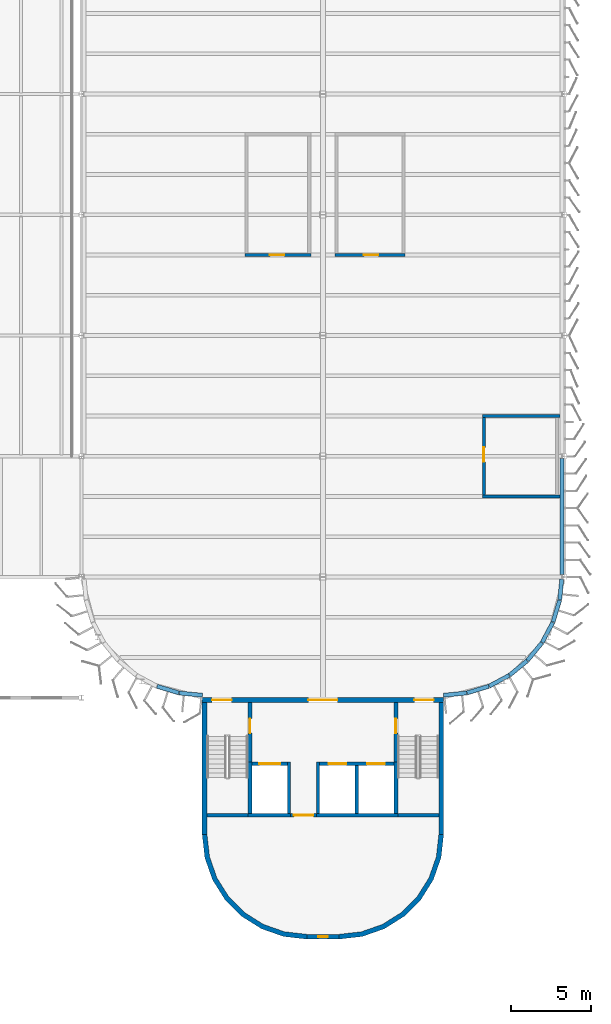
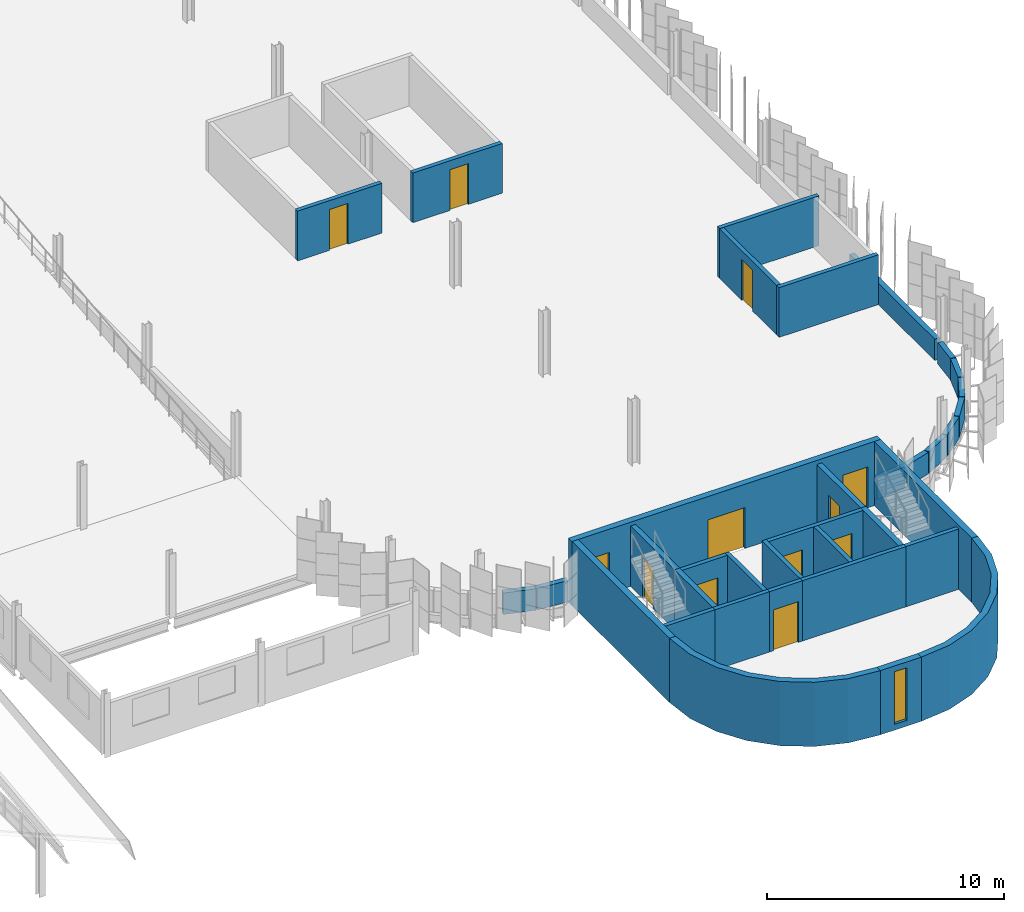
# One storey, part 61 of 199: 36 walls, 12 doors, 1 window, 13 openings.
"""IFC4 building model written with IfcOpenShell, lengths in metres."""

import ifcopenshell
import ifcopenshell.guid

model = None  # the IFC model being written
_history = None  # IfcOwnerHistory: only IFC2X3 demands one
_inside = {}  # id of a spatial element -> (the spatial element, [elements in it])
_under = {}  # id of a project, library or spatial element -> (it, [spatial elements below it])
_declared = {}  # id of a project -> (the project, [libraries it declares])
_typed = {}  # id of a type object -> (the type object, [elements of that type])
_made_of = {}  # id of a material, layer set ... -> (it, [elements and type objects made of it])


def new_model(schema):
    """Start an empty IFC model of exactly this schema.

    Asked for "IFC4X3", IfcOpenShell would pick the latest addendum, in which some entities
    have other attributes; the version numbers below select the first issue.
    IFC2X3 requires an IfcOwnerHistory on every rooted entity: one is made here for all.
    """
    global model, _history
    if schema == "IFC4X3":
        model = ifcopenshell.file(schema_version=(4, 3, 0, 0))
    else:
        model = ifcopenshell.file(schema=schema)
    _inside.clear()
    _under.clear()
    _declared.clear()
    _typed.clear()
    _made_of.clear()
    _history = None
    if model.schema == "IFC2X3":
        org = make("IfcOrganization", Name="unknown")
        user = make(
            "IfcPersonAndOrganization",
            ThePerson=make("IfcPerson", FamilyName="unknown"),
            TheOrganization=org,
        )
        app = make(
            "IfcApplication",
            ApplicationDeveloper=org,
            Version="unknown",
            ApplicationFullName="unknown",
            ApplicationIdentifier="unknown",
        )
        _history = make(
            "IfcOwnerHistory",
            OwningUser=user,
            OwningApplication=app,
            ChangeAction="ADDED",
            CreationDate=0,
        )
    return model


def make(cls, **values):
    """One entity of the class cls with the attributes given. An attribute that is None is left unset."""
    return model.create_entity(
        cls, **{name: value for name, value in values.items() if value is not None}
    )


def rooted(cls, **values):
    """An entity with a GlobalId (a new one), such as an element, a storey or a relation."""
    return make(cls, GlobalId=ifcopenshell.guid.new(), OwnerHistory=_history, **values)


def si_unit(unit_type, name, prefix=None):
    """IfcSIUnit, for example si_unit("LENGTHUNIT", "METRE", prefix="MILLI")."""
    return make("IfcSIUnit", UnitType=unit_type, Prefix=prefix, Name=name)


def assignment(units):
    """IfcUnitAssignment: the units of a project."""
    return None if units is None else make("IfcUnitAssignment", Units=units)


def point(xyz):
    """IfcCartesianPoint."""
    return None if xyz is None else make("IfcCartesianPoint", Coordinates=xyz)


def direction(xyz):
    """IfcDirection."""
    return None if xyz is None else make("IfcDirection", DirectionRatios=xyz)


def frame(location, z_axis=None, x_axis=None):
    """IfcAxis2Placement3D, a coordinate frame: its origin and axes. An axis left out is left unset."""
    return make(
        "IfcAxis2Placement3D",
        Location=point(location),
        Axis=direction(z_axis),
        RefDirection=direction(x_axis),
    )


def frame_2d(location, x_axis=None):
    """IfcAxis2Placement2D, a coordinate frame in the plane: its origin and x axis."""
    return make(
        "IfcAxis2Placement2D", Location=point(location), RefDirection=direction(x_axis)
    )


def origin():
    """The frame at (0, 0, 0) with its axes left unset."""
    return frame((0.0, 0.0, 0.0))


def place(relative_to, where):
    """IfcLocalPlacement: puts the frame where relative to a parent placement (None: the world)."""
    return make(
        "IfcLocalPlacement", PlacementRelTo=relative_to, RelativePlacement=where
    )


def context(
    kind, dimensions, precision=None, world=None, true_north=None, identifier=None
):
    """IfcGeometricRepresentationContext, for example the 3D "Model" context."""
    return make(
        "IfcGeometricRepresentationContext",
        ContextIdentifier=identifier,
        ContextType=kind,
        CoordinateSpaceDimension=dimensions,
        Precision=precision,
        WorldCoordinateSystem=world,
        TrueNorth=true_north,
    )


def subcontext(parent, identifier, kind, view, scale=None):
    """IfcGeometricRepresentationSubContext, for example "Body" below "Model"."""
    return make(
        "IfcGeometricRepresentationSubContext",
        ContextIdentifier=identifier,
        ContextType=kind,
        ParentContext=parent,
        TargetScale=scale,
        TargetView=view,
    )


def project(units=None, contexts=None):
    """IfcProject with its units and contexts."""
    return rooted(
        "IfcProject",
        Name="project",
        RepresentationContexts=contexts,
        UnitsInContext=assignment(units),
    )


def spatial(cls, under=None, at=None, **own):
    """A site, building, storey or space (cls), placed at a placement, below another one or the project."""
    s = rooted(cls, ObjectPlacement=at, **own)
    if under is not None:
        _under.setdefault(under.id(), (under, []))[1].append(s)
    return s


def polyline(points):
    """IfcPolyline through the points."""
    return make("IfcPolyline", Points=[point(p) for p in points])


def profile(cls, at=None, kind="AREA", **sizes):
    """A parametric profile (cls). Its sizes go by their IFC names, for example OverallWidth=200.0."""
    return make(cls, ProfileType=kind, Position=at, **sizes)


def rectangle(**sizes):
    """IfcRectangleProfileDef."""
    return profile("IfcRectangleProfileDef", **sizes)


def outline(outer, holes=None, kind="AREA"):
    """IfcArbitraryClosedProfileDef: a profile drawn as a closed curve; with holes, ...WithVoids."""
    if holes is None:
        return make("IfcArbitraryClosedProfileDef", ProfileType=kind, OuterCurve=outer)
    return make(
        "IfcArbitraryProfileDefWithVoids",
        ProfileType=kind,
        OuterCurve=outer,
        InnerCurves=holes,
    )


def extrude(swept, where, along, depth):
    """IfcExtrudedAreaSolid: the profile swept, set in the frame where, extruded along a direction by depth."""
    return make(
        "IfcExtrudedAreaSolid",
        SweptArea=swept,
        Position=where,
        ExtrudedDirection=direction(along),
        Depth=depth,
    )


def shape(context_of_items, identifier, shape_type, items):
    """IfcShapeRepresentation: the items that make up one representation, for example the "Body"."""
    return make(
        "IfcShapeRepresentation",
        ContextOfItems=context_of_items,
        RepresentationIdentifier=identifier,
        RepresentationType=shape_type,
        Items=items,
    )


def material(Name=None, Category=None):
    """IfcMaterial."""
    return make("IfcMaterial", Name=Name, Category=Category)


def layer(
    of_material, thickness, ventilated=None, Name=None, Category=None, Priority=None
):
    """IfcMaterialLayer: one layer of a wall or slab, of a material (None: an air gap)."""
    return make(
        "IfcMaterialLayer",
        Material=of_material,
        LayerThickness=thickness,
        IsVentilated=ventilated,
        Name=Name,
        Category=Category,
        Priority=Priority,
    )


def layer_set(layers, Name=None):
    """IfcMaterialLayerSet."""
    return make("IfcMaterialLayerSet", MaterialLayers=layers, LayerSetName=Name)


def made_of(thing, what):
    """Note that an element or type object is made of a material, layer set ...; save() writes the relation."""
    if what is not None:
        _made_of.setdefault(what.id(), (what, []))[1].append(thing)
    return thing


def type_object(cls, material=None, **own):
    """A type object (cls), such as IfcWallType, which elements share."""
    return made_of(rooted(cls, **own), material)


def element(
    cls,
    number,
    at=None,
    inside=None,
    cuts=None,
    type_object=None,
    material=None,
    context=None,
    identifier="Body",
    shape_type=None,
    held_by="IfcProductDefinitionShape",
    body=None,
    shapes=None,
    **own,
):
    """One element of the class cls, such as IfcWall. Its Tag is "e" and its number.

    at: its placement. inside: the storey or other place that contains it. cuts: it is an
    opening in that element (IfcRelVoidsElement). A single representation is given by context,
    identifier, shape_type and body (its items); several are given by shapes. held_by: the class
    of the entity that holds the representations. save() writes the other relations.
    """
    e = rooted(cls, Tag="e%d" % number, ObjectPlacement=at, **own)
    if body is not None:
        shapes = [shape(context, identifier, shape_type, body)]
    if shapes is not None:
        e.Representation = make(held_by, Representations=shapes)
    if inside is not None:
        _inside.setdefault(inside.id(), (inside, []))[1].append(e)
    if cuts is not None:
        rooted(
            "IfcRelVoidsElement", RelatingBuildingElement=cuts, RelatedOpeningElement=e
        )
    if type_object is not None:
        _typed.setdefault(type_object.id(), (type_object, []))[1].append(e)
    return made_of(e, material)


def fill(opening, filler):
    """IfcRelFillsElement: the door or window that sits in an opening."""
    return rooted(
        "IfcRelFillsElement",
        RelatingOpeningElement=opening,
        RelatedBuildingElement=filler,
    )


def aggregate(whole, parts):
    """IfcRelAggregates: a whole, such as a stair, and the parts it consists of."""
    return rooted("IfcRelAggregates", RelatingObject=whole, RelatedObjects=parts)


def save(model, path):
    """Write the relations noted so far, then the file.

    IfcRelAggregates (storeys below a building ...), IfcRelContainedInSpatialStructure (elements
    in a storey), IfcRelDefinesByType, IfcRelAssociatesMaterial and IfcRelDeclares: one each for
    every whole, place, type object, material and project.
    """
    for whole, parts in _under.values():
        aggregate(whole, parts)
    for where, things in _inside.values():
        rooted(
            "IfcRelContainedInSpatialStructure",
            RelatedElements=things,
            RelatingStructure=where,
        )
    for kind, things in _typed.values():
        rooted("IfcRelDefinesByType", RelatedObjects=things, RelatingType=kind)
    for what, things in _made_of.values():
        rooted("IfcRelAssociatesMaterial", RelatedObjects=things, RelatingMaterial=what)
    for by, libraries in _declared.values():
        rooted("IfcRelDeclares", RelatingContext=by, RelatedDefinitions=libraries)
    model.write(path)


model = new_model("IFC4")

# Units and contexts
model_context = context("Model", 3, precision=1e-05, world=origin(), true_north=direction((0.0, 1.0)))
body_context = subcontext(model_context, "Body", "Model", "MODEL_VIEW")
ifc_project = project(units=[si_unit("LENGTHUNIT", "METRE"), si_unit("AREAUNIT", "SQUARE_METRE"), si_unit("VOLUMEUNIT", "CUBIC_METRE"), si_unit("PLANEANGLEUNIT", "RADIAN"), si_unit("MASSUNIT", "GRAM", prefix="KILO")], contexts=[model_context])

# Site, building, storey
site_placement = place(None, origin())
site = spatial("IfcSite", under=ifc_project, at=site_placement, CompositionType="ELEMENT")
building_placement = place(site_placement, origin())
building = spatial("IfcBuilding", under=site, at=building_placement, Name="Parallax Yard Mobility Hub", CompositionType="ELEMENT")
storey_placement = place(building_placement, frame((0.0, 0.0, 9.89990234375)))
storey = spatial("IfcBuildingStorey", under=building, at=storey_placement, Name="L03", CompositionType="ELEMENT", Elevation=9.89990234375)

# Wall, openings, doors
ifc_material_1 = material(Name="Concrete fc' 35 MPa", Category="concrete")
ifc_layer_1 = layer(ifc_material_1, 0.300048828125)
ifc_layer_set_1 = layer_set([ifc_layer_1], Name="Concrete fc' 35 MPa core wall 300")
wall_type_1 = type_object("IfcWallType", Name="Concrete fc' 35 MPa core wall 300", PredefinedType="SHEAR", material=ifc_layer_set_1)
wall_1_placement = place(storey_placement, frame((202.5, 22.35009765625, 0.0), z_axis=(0.0, 0.0, 1.0), x_axis=(1.0, 0.0, 0.0)))
wall_1 = element("IfcWall", 1, at=wall_1_placement, inside=storey, type_object=wall_type_1, Name="Core C-S entry wall level L03", PredefinedType="SHEAR", context=body_context, shape_type="SweptSolid", body=[
    extrude(rectangle(XDim=15.0, YDim=0.300048828125, at=frame_2d((7.5, 0.0))), origin(), (0.0, 0.0, 1.0), 3.300048828125),
])
opening_1_placement = place(wall_1_placement, frame((13.179931640625, 0.0, 0.0)))
opening_1 = element("IfcOpeningElement", 2, at=opening_1_placement, cuts=wall_1, Name="Opening L03-D724", PredefinedType="OPENING", context=body_context, shape_type="SweptSolid", body=[
    extrude(rectangle(XDim=1.199951171875, YDim=2.10009765625, at=frame_2d((0.60009765625, 1.050048828125))), frame((0.0, 0.16015625, 0.0), z_axis=(0.0, -1.0, 0.0), x_axis=(1.0, 0.0, 0.0)), (0.0, 0.0, 1.0), 0.320068359375),
])
opening_2_placement = place(wall_1_placement, frame((0.6201171875, 0.0, 0.0)))
opening_2 = element("IfcOpeningElement", 3, at=opening_2_placement, cuts=wall_1, Name="Opening L03-D725", PredefinedType="OPENING", context=body_context, shape_type="SweptSolid", body=[
    extrude(rectangle(XDim=1.199951171875, YDim=2.10009765625, at=frame_2d((0.60009765625, 1.050048828125))), frame((0.0, 0.16015625, 0.0), z_axis=(0.0, -1.0, 0.0), x_axis=(1.0, 0.0, 0.0)), (0.0, 0.0, 1.0), 0.320068359375),
])
opening_3_placement = place(wall_1_placement, frame((6.60009765625, 0.0, 0.0)))
opening_3 = element("IfcOpeningElement", 4, at=opening_3_placement, cuts=wall_1, Name="Opening L03-D726", PredefinedType="OPENING", context=body_context, shape_type="SweptSolid", body=[
    extrude(rectangle(XDim=1.800048828125, YDim=2.10009765625, at=frame_2d((0.89990234375, 1.050048828125))), frame((0.0, 0.16015625, 0.0), z_axis=(0.0, -1.0, 0.0), x_axis=(1.0, 0.0, 0.0)), (0.0, 0.0, 1.0), 0.320068359375),
])
ifc_material_2 = material(Name="Hollow metal steel door and frame", Category="steel")
door_type_1 = type_object("IfcDoorType", Name="Core door 1200 x 2100 FD90", OperationType="NOTDEFINED", PredefinedType="DOOR", material=ifc_material_2)
door_1_placement = place(opening_1_placement, origin())
door_1 = element("IfcDoor", 5, at=door_1_placement, inside=storey, type_object=door_type_1, Name="Stair deck door L03-D724, core C-S level L03", OperationType="SINGLE_SWING_RIGHT", OverallHeight=2.10009765625, OverallWidth=1.199951171875, PredefinedType="DOOR", context=body_context, shape_type="SweptSolid", body=[
    extrude(rectangle(XDim=1.199951171875, YDim=2.10009765625, at=frame_2d((0.60009765625, 1.050048828125))), frame((0.0, 0.02490234375, 0.0), z_axis=(0.0, -1.0, 0.0), x_axis=(1.0, 0.0, 0.0)), (0.0, 0.0, 1.0), 0.050048828125),
])
fill(opening_1, door_1)
door_2_placement = place(opening_2_placement, origin())
door_2 = element("IfcDoor", 6, at=door_2_placement, inside=storey, type_object=door_type_1, Name="Stair deck door L03-D725, core C-S level L03", OperationType="SINGLE_SWING_LEFT", OverallHeight=2.10009765625, OverallWidth=1.199951171875, PredefinedType="DOOR", context=body_context, shape_type="SweptSolid", body=[
    extrude(rectangle(XDim=1.199951171875, YDim=2.10009765625, at=frame_2d((0.60009765625, 1.050048828125))), frame((0.0, 0.02490234375, 0.0), z_axis=(0.0, -1.0, 0.0), x_axis=(1.0, 0.0, 0.0)), (0.0, 0.0, 1.0), 0.050048828125),
])
fill(opening_2, door_2)
door_type_2 = type_object("IfcDoorType", Name="Core double door 1800 x 2100 FD90", OperationType="NOTDEFINED", PredefinedType="DOOR", material=ifc_material_2)
door_3_placement = place(opening_3_placement, origin())
door_3 = element("IfcDoor", 7, at=door_3_placement, inside=storey, type_object=door_type_2, Name="Lift lobby door L03-D726, core C-S level L03", OperationType="DOUBLE_DOOR_SINGLE_SWING", OverallHeight=2.10009765625, OverallWidth=1.800048828125, PredefinedType="DOOR", context=body_context, shape_type="SweptSolid", body=[
    extrude(rectangle(XDim=1.800048828125, YDim=2.10009765625, at=frame_2d((0.89990234375, 1.050048828125))), frame((0.0, 0.02490234375, 0.0), z_axis=(0.0, -1.0, 0.0), x_axis=(1.0, 0.0, 0.0)), (0.0, 0.0, 1.0), 0.050048828125),
])
fill(opening_3, door_3)

# Wall, opening, window
wall_2_placement = place(storey_placement, frame((211.0, 7.64990234375, 0.0), z_axis=(0.0, 0.0, 1.0), x_axis=(-1.0, 0.0, 0.0)))
wall_2 = element("IfcWall", 8, at=wall_2_placement, inside=storey, type_object=wall_type_1, Name="Core C-S back wall level L03", PredefinedType="SHEAR", context=body_context, shape_type="SweptSolid", body=[
    extrude(rectangle(XDim=2.0, YDim=0.300048828125, at=frame_2d((1.0, 0.0))), origin(), (0.0, 0.0, 1.0), 3.300048828125),
])
opening_4_placement = place(wall_2_placement, frame((0.699951171875, 0.0, 0.300048828125)))
opening_4 = element("IfcOpeningElement", 9, at=opening_4_placement, cuts=wall_2, Name="Opening CW-S1", PredefinedType="OPENING", context=body_context, shape_type="SweptSolid", body=[
    extrude(rectangle(XDim=0.60009765625, YDim=2.699951171875, at=frame_2d((0.300048828125, 1.35009765625))), frame((0.0, 0.16015625, 0.0), z_axis=(0.0, -1.0, 0.0), x_axis=(1.0, 0.0, 0.0)), (0.0, 0.0, 1.0), 0.320068359375),
])
ifc_material_3 = material(Name="Fire-resisting glazing in a steel frame", Category="steel")
window_type = type_object("IfcWindowType", Name="Core slot window 600 x 2700", PartitioningType="SINGLE_PANEL", PredefinedType="WINDOW", material=ifc_material_3)
window_placement = place(opening_4_placement, origin())
window = element("IfcWindow", 10, at=window_placement, inside=storey, type_object=window_type, Name="Glazed slot 1, core C-S level L03", OverallHeight=2.699951171875, OverallWidth=0.60009765625, PartitioningType="SINGLE_PANEL", PredefinedType="WINDOW", context=body_context, shape_type="SweptSolid", body=[
    extrude(rectangle(XDim=0.60009765625, YDim=2.699951171875, at=frame_2d((0.300048828125, 1.35009765625))), frame((0.0, 0.030029296875, 0.0), z_axis=(0.0, -1.0, 0.0), x_axis=(1.0, 0.0, 0.0)), (0.0, 0.0, 1.0), 0.06005859375),
])
fill(opening_4, window)

# Walls
for number, where, z_axis, x_axis, name in (
    (11, (217.35009765625, 22.199951171875, 0.0), (0.0, 0.0, 1.0), (0.0, -1.0, 0.0), "Core C-S west-side end wall level L03"),
    (12, (202.64990234375, 14.0, 0.0), (0.0, 0.0, 1.0), (0.0, 1.0, 0.0), "Core C-S east-side end wall level L03"),
):
    element("IfcWall", number, at=place(storey_placement, frame(where, z_axis=z_axis, x_axis=x_axis)), inside=storey, type_object=wall_type_1, Name=name, PredefinedType="SHEAR", context=body_context, shape_type="SweptSolid", body=[
        extrude(rectangle(XDim=8.199951171875, YDim=0.300048828125, at=frame_2d((4.10009765625, 0.0))), origin(), (0.0, 0.0, 1.0), 3.300048828125),
    ])
wall_3_placement = place(storey_placement, origin())
element("IfcWall", 13, at=wall_3_placement, inside=storey, type_object=wall_type_1, Name="Core C-S rounded corner west level L03", PredefinedType="SHEAR", context=body_context, shape_type="SweptSolid", body=[
    extrude(outline(polyline([(217.5, 14.0), (217.3369140625, 12.5537109375), (216.856201171875, 11.1796875), (216.081787109375, 9.947265625), (215.052734375, 8.918212890625), (213.8203125, 8.143798828125), (212.4462890625, 7.6630859375), (211.0, 7.5), (211.0, 7.800048828125), (212.379638671875, 7.955322265625), (213.690185546875, 8.4140625), (214.865478515625, 9.152587890625), (215.847412109375, 10.134521484375), (216.5859375, 11.309814453125), (217.044677734375, 12.620361328125), (217.199951171875, 14.0), (217.5, 14.0)])), origin(), (0.0, 0.0, 1.0), 3.300048828125),
])
wall_4_placement = place(storey_placement, origin())
element("IfcWall", 14, at=wall_4_placement, inside=storey, type_object=wall_type_1, Name="Core C-S rounded corner east level L03", PredefinedType="SHEAR", context=body_context, shape_type="SweptSolid", body=[
    extrude(outline(polyline([(202.5, 14.0), (202.6630859375, 12.5537109375), (203.143798828125, 11.1796875), (203.918212890625, 9.947265625), (204.947265625, 8.918212890625), (206.1796875, 8.143798828125), (207.5537109375, 7.6630859375), (209.0, 7.5), (209.0, 7.800048828125), (207.620361328125, 7.955322265625), (206.309814453125, 8.4140625), (205.134521484375, 9.152587890625), (204.152587890625, 10.134521484375), (203.4140625, 11.309814453125), (202.955322265625, 12.620361328125), (202.800048828125, 14.0), (202.5, 14.0)])), origin(), (0.0, 0.0, 1.0), 3.300048828125),
])

# Wall, openings, doors
ifc_layer_2 = layer(ifc_material_1, 0.199951171875)
ifc_layer_set_2 = layer_set([ifc_layer_2], Name="Concrete fc' 35 MPa internal core wall 200")
wall_type_2 = type_object("IfcWallType", Name="Concrete fc' 35 MPa internal core wall 200", PredefinedType="STANDARD", material=ifc_layer_set_2)
wall_5_placement = place(storey_placement, frame((214.39990234375, 18.39990234375, 0.0), z_axis=(0.0, 0.0, 1.0), x_axis=(-1.0, 0.0, 0.0)))
wall_5 = element("IfcWall", 15, at=wall_5_placement, inside=storey, type_object=wall_type_2, Name="Core C-S lift front 1 part 1 level L03", PredefinedType="STANDARD", context=body_context, shape_type="SweptSolid", body=[
    extrude(rectangle(XDim=4.599853515625, YDim=0.199951171875, at=frame_2d((2.2998046875, 0.0))), origin(), (0.0, 0.0, 1.0), 3.10009765625),
])
opening_5_placement = place(wall_5_placement, frame((0.550048828125, 0.0, 0.0)))
opening_5 = element("IfcOpeningElement", 16, at=opening_5_placement, cuts=wall_5, Name="Opening L03-D729", PredefinedType="OPENING", context=body_context, shape_type="SweptSolid", body=[
    extrude(rectangle(XDim=1.10009765625, YDim=2.10009765625, at=frame_2d((0.550048828125, 1.050048828125))), frame((0.0, 0.10986328125, 0.0), z_axis=(0.0, -1.0, 0.0), x_axis=(1.0, 0.0, 0.0)), (0.0, 0.0, 1.0), 0.219970703125),
])
opening_6_placement = place(wall_5_placement, frame((2.949951171875, 0.0, 0.0)))
opening_6 = element("IfcOpeningElement", 17, at=opening_6_placement, cuts=wall_5, Name="Opening L03-D730", PredefinedType="OPENING", context=body_context, shape_type="SweptSolid", body=[
    extrude(rectangle(XDim=1.10009765625, YDim=2.10009765625, at=frame_2d((0.550048828125, 1.050048828125))), frame((0.0, 0.10986328125, 0.0), z_axis=(0.0, -1.0, 0.0), x_axis=(1.0, 0.0, 0.0)), (0.0, 0.0, 1.0), 0.219970703125),
])
ifc_material_4 = material(Name="Stainless steel sliding door and frame", Category="steel")
door_type_3 = type_object("IfcDoorType", Name="Lift landing door 1100 x 2100 FD90", OperationType="DOUBLE_DOOR_SLIDING", PredefinedType="DOOR", material=ifc_material_4)
door_4_placement = place(opening_5_placement, origin())
door_4 = element("IfcDoor", 18, at=door_4_placement, inside=storey, type_object=door_type_3, Name="Lift landing door L03-D729, core C-S level L03", OperationType="DOUBLE_DOOR_SLIDING", OverallHeight=2.10009765625, OverallWidth=1.10009765625, PredefinedType="DOOR", context=body_context, shape_type="SweptSolid", body=[
    extrude(rectangle(XDim=1.10009765625, YDim=2.10009765625, at=frame_2d((0.550048828125, 1.050048828125))), frame((0.0, 0.02490234375, 0.0), z_axis=(0.0, -1.0, 0.0), x_axis=(1.0, 0.0, 0.0)), (0.0, 0.0, 1.0), 0.050048828125),
])
fill(opening_5, door_4)
door_5_placement = place(opening_6_placement, origin())
door_5 = element("IfcDoor", 19, at=door_5_placement, inside=storey, type_object=door_type_3, Name="Lift landing door L03-D730, core C-S level L03", OperationType="DOUBLE_DOOR_SLIDING", OverallHeight=2.10009765625, OverallWidth=1.10009765625, PredefinedType="DOOR", context=body_context, shape_type="SweptSolid", body=[
    extrude(rectangle(XDim=1.10009765625, YDim=2.10009765625, at=frame_2d((0.550048828125, 1.050048828125))), frame((0.0, 0.02490234375, 0.0), z_axis=(0.0, -1.0, 0.0), x_axis=(1.0, 0.0, 0.0)), (0.0, 0.0, 1.0), 0.050048828125),
])
fill(opening_6, door_5)

# Wall, opening, door
wall_6_placement = place(storey_placement, frame((207.800048828125, 18.39990234375, 0.0), z_axis=(0.0, 0.0, 1.0), x_axis=(-1.0, 0.0, 0.0)))
wall_6 = element("IfcWall", 20, at=wall_6_placement, inside=storey, type_object=wall_type_2, Name="Core C-S lift front 2 part 2 level L03", PredefinedType="STANDARD", context=body_context, shape_type="SweptSolid", body=[
    extrude(rectangle(XDim=2.199951171875, YDim=0.199951171875, at=frame_2d((1.10009765625, 0.0))), origin(), (0.0, 0.0, 1.0), 3.10009765625),
])
opening_7_placement = place(wall_6_placement, frame((0.449951171875, 0.0, 0.0)))
opening_7 = element("IfcOpeningElement", 21, at=opening_7_placement, cuts=wall_6, Name="Opening L03-D731", PredefinedType="OPENING", context=body_context, shape_type="SweptSolid", body=[
    extrude(rectangle(XDim=1.300048828125, YDim=2.10009765625, at=frame_2d((0.64990234375, 1.050048828125))), frame((0.0, 0.10986328125, 0.0), z_axis=(0.0, -1.0, 0.0), x_axis=(1.0, 0.0, 0.0)), (0.0, 0.0, 1.0), 0.219970703125),
])
door_type_4 = type_object("IfcDoorType", Name="Goods lift landing door 1300 x 2100 FD90", OperationType="DOUBLE_DOOR_SLIDING", PredefinedType="DOOR", material=ifc_material_4)
door_6_placement = place(opening_7_placement, origin())
door_6 = element("IfcDoor", 22, at=door_6_placement, inside=storey, type_object=door_type_4, Name="Lift landing door L03-D731, core C-S level L03", OperationType="DOUBLE_DOOR_SLIDING", OverallHeight=2.10009765625, OverallWidth=1.300048828125, PredefinedType="DOOR", context=body_context, shape_type="SweptSolid", body=[
    extrude(rectangle(XDim=1.300048828125, YDim=2.10009765625, at=frame_2d((0.64990234375, 1.050048828125))), frame((0.0, 0.02490234375, 0.0), z_axis=(0.0, -1.0, 0.0), x_axis=(1.0, 0.0, 0.0)), (0.0, 0.0, 1.0), 0.050048828125),
])
fill(opening_7, door_6)

# Walls
wall_7_placement = place(storey_placement, frame((212.10009765625, 18.300048828125, 0.0), z_axis=(0.0, 0.0, 1.0), x_axis=(0.0, -1.0, 0.0)))
element("IfcWall", 23, at=wall_7_placement, inside=storey, type_object=wall_type_2, Name="Core C-S lift wall 1 part 1 level L03", PredefinedType="STANDARD", context=body_context, shape_type="SweptSolid", body=[
    extrude(rectangle(XDim=3.0, YDim=0.199951171875, at=frame_2d((1.5, 0.0))), origin(), (0.0, 0.0, 1.0), 3.10009765625),
])
for number, where, z_axis, x_axis, name in (
    (24, (209.699951171875, 18.5, 0.0), (0.0, 0.0, 1.0), (0.0, -1.0, 0.0), "Core C-S lift wall 2 part 2 level L03"),
    (25, (207.89990234375, 18.5, 0.0), (0.0, 0.0, 1.0), (0.0, -1.0, 0.0), "Core C-S lift wall 3 part 3 level L03"),
):
    element("IfcWall", number, at=place(storey_placement, frame(where, z_axis=z_axis, x_axis=x_axis)), inside=storey, type_object=wall_type_2, Name=name, PredefinedType="STANDARD", context=body_context, shape_type="SweptSolid", body=[
        extrude(rectangle(XDim=3.199951171875, YDim=0.199951171875, at=frame_2d((1.60009765625, 0.0))), origin(), (0.0, 0.0, 1.0), 3.10009765625),
    ])
wall_8_placement = place(storey_placement, frame((217.199951171875, 15.199951171875, 0.0), z_axis=(0.0, 0.0, 1.0), x_axis=(-1.0, 0.0, 0.0)))
element("IfcWall", 26, at=wall_8_placement, inside=storey, type_object=wall_type_2, Name="Core C-S plant wall 1 part 1 level L03", PredefinedType="STANDARD", context=body_context, shape_type="SweptSolid", body=[
    extrude(rectangle(XDim=2.550048828125, YDim=0.199951171875, at=frame_2d((1.27490234375, 0.0))), origin(), (0.0, 0.0, 1.0), 3.10009765625),
])
wall_9_placement = place(storey_placement, frame((214.64990234375, 15.199951171875, 0.0), z_axis=(0.0, 0.0, 1.0), x_axis=(-1.0, 0.0, 0.0)))
element("IfcWall", 27, at=wall_9_placement, inside=storey, type_object=wall_type_2, Name="Core C-S plant wall 2 part 2 level L03", PredefinedType="STANDARD", context=body_context, shape_type="SweptSolid", body=[
    extrude(rectangle(XDim=5.0498046875, YDim=0.199951171875, at=frame_2d((2.52490234375, 0.0))), origin(), (0.0, 0.0, 1.0), 3.10009765625),
])

# Wall, opening, door
wall_10_placement = place(storey_placement, frame((209.60009765625, 15.199951171875, 0.0), z_axis=(0.0, 0.0, 1.0), x_axis=(-1.0, 0.0, 0.0)))
wall_10 = element("IfcWall", 28, at=wall_10_placement, inside=storey, type_object=wall_type_2, Name="Core C-S plant wall 3 part 3 level L03", PredefinedType="STANDARD", context=body_context, shape_type="SweptSolid", body=[
    extrude(rectangle(XDim=1.60009765625, YDim=0.199951171875, at=frame_2d((0.800048828125, 0.0))), origin(), (0.0, 0.0, 1.0), 3.10009765625),
])
opening_8_placement = place(wall_10_placement, frame((0.199951171875, 0.0, 0.0)))
opening_8 = element("IfcOpeningElement", 29, at=opening_8_placement, cuts=wall_10, Name="Opening L03-D732", PredefinedType="OPENING", context=body_context, shape_type="SweptSolid", body=[
    extrude(rectangle(XDim=1.199951171875, YDim=2.10009765625, at=frame_2d((0.60009765625, 1.050048828125))), frame((0.0, 0.10986328125, 0.0), z_axis=(0.0, -1.0, 0.0), x_axis=(1.0, 0.0, 0.0)), (0.0, 0.0, 1.0), 0.219970703125),
])
door_7_placement = place(opening_8_placement, origin())
door_7 = element("IfcDoor", 30, at=door_7_placement, inside=storey, type_object=door_type_1, Name="Plant room door L03-D732, core C-S level L03", OperationType="SINGLE_SWING_RIGHT", OverallHeight=2.10009765625, OverallWidth=1.199951171875, PredefinedType="DOOR", context=body_context, shape_type="SweptSolid", body=[
    extrude(rectangle(XDim=1.199951171875, YDim=2.10009765625, at=frame_2d((0.60009765625, 1.050048828125))), frame((0.0, 0.02490234375, 0.0), z_axis=(0.0, -1.0, 0.0), x_axis=(1.0, 0.0, 0.0)), (0.0, 0.0, 1.0), 0.050048828125),
])
fill(opening_8, door_7)

# Walls
wall_11_placement = place(storey_placement, frame((208.0, 15.199951171875, 0.0), z_axis=(0.0, 0.0, 1.0), x_axis=(-1.0, 0.0, 0.0)))
element("IfcWall", 31, at=wall_11_placement, inside=storey, type_object=wall_type_2, Name="Core C-S plant wall 4 part 4 level L03", PredefinedType="STANDARD", context=body_context, shape_type="SweptSolid", body=[
    extrude(rectangle(XDim=2.64990234375, YDim=0.199951171875, at=frame_2d((1.324951171875, 0.0))), origin(), (0.0, 0.0, 1.0), 3.10009765625),
])
wall_12_placement = place(storey_placement, frame((205.35009765625, 15.199951171875, 0.0), z_axis=(0.0, 0.0, 1.0), x_axis=(-1.0, 0.0, 0.0)))
element("IfcWall", 32, at=wall_12_placement, inside=storey, type_object=wall_type_2, Name="Core C-S plant wall 5 part 5 level L03", PredefinedType="STANDARD", context=body_context, shape_type="SweptSolid", body=[
    extrude(rectangle(XDim=2.550048828125, YDim=0.199951171875, at=frame_2d((1.27490234375, 0.0))), origin(), (0.0, 0.0, 1.0), 3.10009765625),
])

# Wall, opening, door
ifc_layer_3 = layer(ifc_material_1, 0.25)
ifc_layer_set_3 = layer_set([ifc_layer_3], Name="Concrete fc' 35 MPa stair enclosure wall 250")
wall_type_3 = type_object("IfcWallType", Name="Concrete fc' 35 MPa stair enclosure wall 250", PredefinedType="STANDARD", material=ifc_layer_set_3)
wall_13_placement = place(storey_placement, frame((214.52490234375, 22.199951171875, 0.0), z_axis=(0.0, 0.0, 1.0), x_axis=(0.0, -1.0, 0.0)))
wall_13 = element("IfcWall", 33, at=wall_13_placement, inside=storey, type_object=wall_type_3, Name="Core C-S stair 1 partition 1 part 1 level L03", PredefinedType="STANDARD", context=body_context, shape_type="SweptSolid", body=[
    extrude(rectangle(XDim=3.699951171875, YDim=0.25, at=frame_2d((1.85009765625, 0.0))), origin(), (0.0, 0.0, 1.0), 3.10009765625),
])
opening_9_placement = place(wall_13_placement, frame((1.0, 0.0, 0.0)))
opening_9 = element("IfcOpeningElement", 34, at=opening_9_placement, cuts=wall_13, Name="Opening L03-D727", PredefinedType="OPENING", context=body_context, shape_type="SweptSolid", body=[
    extrude(rectangle(XDim=0.89990234375, YDim=2.10009765625, at=frame_2d((0.449951171875, 1.050048828125))), frame((0.0, 0.135009765625, 0.0), z_axis=(0.0, -1.0, 0.0), x_axis=(1.0, 0.0, 0.0)), (0.0, 0.0, 1.0), 0.27001953125),
])
door_type_5 = type_object("IfcDoorType", Name="Core door 900 x 2100 FD90", OperationType="NOTDEFINED", PredefinedType="DOOR", material=ifc_material_2)
door_8_placement = place(opening_9_placement, origin())
door_8 = element("IfcDoor", 35, at=door_8_placement, inside=storey, type_object=door_type_5, Name="Stair lobby door L03-D727, core C-S level L03", OperationType="SINGLE_SWING_LEFT", OverallHeight=2.10009765625, OverallWidth=0.89990234375, PredefinedType="DOOR", context=body_context, shape_type="SweptSolid", body=[
    extrude(rectangle(XDim=0.89990234375, YDim=2.10009765625, at=frame_2d((0.449951171875, 1.050048828125))), frame((0.0, 0.02490234375, 0.0), z_axis=(0.0, -1.0, 0.0), x_axis=(1.0, 0.0, 0.0)), (0.0, 0.0, 1.0), 0.050048828125),
])
fill(opening_9, door_8)

# Wall
wall_14_placement = place(storey_placement, frame((214.52490234375, 18.5, 0.0), z_axis=(0.0, 0.0, 1.0), x_axis=(0.0, -1.0, 0.0)))
element("IfcWall", 36, at=wall_14_placement, inside=storey, type_object=wall_type_3, Name="Core C-S stair 1 partition 2 part 2 level L03", PredefinedType="STANDARD", context=body_context, shape_type="SweptSolid", body=[
    extrude(rectangle(XDim=3.199951171875, YDim=0.25, at=frame_2d((1.60009765625, 0.0))), origin(), (0.0, 0.0, 1.0), 3.10009765625),
])

# Wall, opening, door
wall_15_placement = place(storey_placement, frame((205.47509765625, 18.5, 0.0), z_axis=(0.0, 0.0, 1.0), x_axis=(0.0, 1.0, 0.0)))
wall_15 = element("IfcWall", 37, at=wall_15_placement, inside=storey, type_object=wall_type_3, Name="Core C-S stair 2 partition 1 part 1 level L03", PredefinedType="STANDARD", context=body_context, shape_type="SweptSolid", body=[
    extrude(rectangle(XDim=3.699951171875, YDim=0.25, at=frame_2d((1.85009765625, 0.0))), origin(), (0.0, 0.0, 1.0), 3.10009765625),
])
opening_10_placement = place(wall_15_placement, frame((1.800048828125, 0.0, 0.0)))
opening_10 = element("IfcOpeningElement", 38, at=opening_10_placement, cuts=wall_15, Name="Opening L03-D728", PredefinedType="OPENING", context=body_context, shape_type="SweptSolid", body=[
    extrude(rectangle(XDim=0.89990234375, YDim=2.10009765625, at=frame_2d((0.449951171875, 1.050048828125))), frame((0.0, 0.135009765625, 0.0), z_axis=(0.0, -1.0, 0.0), x_axis=(1.0, 0.0, 0.0)), (0.0, 0.0, 1.0), 0.27001953125),
])
door_9_placement = place(opening_10_placement, origin())
door_9 = element("IfcDoor", 39, at=door_9_placement, inside=storey, type_object=door_type_5, Name="Stair lobby door L03-D728, core C-S level L03", OperationType="SINGLE_SWING_RIGHT", OverallHeight=2.10009765625, OverallWidth=0.89990234375, PredefinedType="DOOR", context=body_context, shape_type="SweptSolid", body=[
    extrude(rectangle(XDim=0.89990234375, YDim=2.10009765625, at=frame_2d((0.449951171875, 1.050048828125))), frame((0.0, 0.02490234375, 0.0), z_axis=(0.0, -1.0, 0.0), x_axis=(1.0, 0.0, 0.0)), (0.0, 0.0, 1.0), 0.050048828125),
])
fill(opening_10, door_9)

# Walls
wall_16_placement = place(storey_placement, frame((205.47509765625, 18.5, 0.0), z_axis=(0.0, 0.0, 1.0), x_axis=(0.0, -1.0, 0.0)))
element("IfcWall", 40, at=wall_16_placement, inside=storey, type_object=wall_type_3, Name="Core C-S stair 2 partition 2 part 2 level L03", PredefinedType="STANDARD", context=body_context, shape_type="SweptSolid", body=[
    extrude(rectangle(XDim=3.199951171875, YDim=0.25, at=frame_2d((1.60009765625, 0.0))), origin(), (0.0, 0.0, 1.0), 3.10009765625),
])
ifc_layer_4 = layer(ifc_material_1, 0.25)
ifc_layer_set_4 = layer_set([ifc_layer_4], Name="Deck-edge barrier wall, Concrete fc' 35 MPa precast, 250")
wall_type_4 = type_object("IfcWallType", Name="Deck-edge barrier wall, Concrete fc' 35 MPa precast, 250", PredefinedType="SOLIDWALL", material=ifc_layer_set_4)
wall_17_placement = place(storey_placement, frame((199.697998046875, 23.206298828125, 0.0), z_axis=(0.0, 0.0, 1.0), x_axis=(0.956820439927, -0.290679627319, 0.0)))
element("IfcWall", 41, at=wall_17_placement, inside=storey, type_object=wall_type_4, Name="Deck-edge barrier wall bay 30-7 level L03", PredefinedType="SOLIDWALL", context=body_context, shape_type="SweptSolid", body=[
    extrude(rectangle(XDim=1.4111328125, YDim=0.25, at=frame_2d((0.70556640625, 0.0))), origin(), (0.0, 0.0, 1.0), 1.10009765625),
])
wall_18_placement = place(storey_placement, frame((201.076904296875, 22.790283203125, 0.0), z_axis=(0.0, 0.0, 1.0), x_axis=(0.995137391066, -0.098496562898, 0.0)))
element("IfcWall", 42, at=wall_18_placement, inside=storey, type_object=wall_type_4, Name="Deck-edge barrier wall bay 30-8 level L03", PredefinedType="SOLIDWALL", context=body_context, shape_type="SweptSolid", body=[
    extrude(rectangle(XDim=1.440185546875, YDim=0.25, at=frame_2d((0.72021484375, 0.0))), origin(), (0.0, 0.0, 1.0), 1.10009765625),
])
wall_19_placement = place(storey_placement, frame((217.490478515625, 22.6484375, 0.0), z_axis=(0.0, 0.0, 1.0), x_axis=(0.995122410186, 0.098647801521, 0.0)))
element("IfcWall", 43, at=wall_19_placement, inside=storey, type_object=wall_type_4, Name="Deck-edge barrier wall bay 32-1 level L03", PredefinedType="SOLIDWALL", context=body_context, shape_type="SweptSolid", body=[
    extrude(rectangle(XDim=1.4404296875, YDim=0.25, at=frame_2d((0.72021484375, 0.0))), origin(), (0.0, 0.0, 1.0), 1.10009765625),
])
wall_20_placement = place(storey_placement, frame((218.952392578125, 22.79638671875, 0.0), z_axis=(0.0, 0.0, 1.0), x_axis=(0.956820439927, 0.290679627319, 0.0)))
element("IfcWall", 44, at=wall_20_placement, inside=storey, type_object=wall_type_4, Name="Deck-edge barrier wall bay 32-2 level L03", PredefinedType="SOLIDWALL", context=body_context, shape_type="SweptSolid", body=[
    extrude(rectangle(XDim=1.4111328125, YDim=0.25, at=frame_2d((0.70556640625, 0.0))), origin(), (0.0, 0.0, 1.0), 1.10009765625),
])
for number, where, z_axis, x_axis, name in (
    (45, (220.329345703125, 23.2177734375, 0.0), (0.0, 0.0, 1.0), (0.881767905796, 0.471683538305, 0.0), "Deck-edge barrier wall bay 32-3 level L03"),
    (46, (221.59765625, 23.899658203125, 0.0), (0.0, 0.0, 1.0), (0.772768687577, 0.634687762211, 0.0), "Deck-edge barrier wall bay 32-4 level L03"),
    (47, (222.708740234375, 24.81591796875, 0.0), (0.0, 0.0, 1.0), (0.634207883179, 0.773162570817, 0.0), "Deck-edge barrier wall bay 32-5 level L03"),
    (48, (223.61962890625, 25.93115234375, 0.0), (0.0, 0.0, 1.0), (0.47134246414, 0.881950271557, 0.0), "Deck-edge barrier wall bay 32-6 level L03"),
):
    element("IfcWall", number, at=place(storey_placement, frame(where, z_axis=z_axis, x_axis=x_axis)), inside=storey, type_object=wall_type_4, Name=name, PredefinedType="SOLIDWALL", context=body_context, shape_type="SweptSolid", body=[
        extrude(rectangle(XDim=1.410888671875, YDim=0.25, at=frame_2d((0.70556640625, 0.0))), origin(), (0.0, 0.0, 1.0), 1.10009765625),
    ])
wall_21_placement = place(storey_placement, frame((224.295654296875, 27.202392578125, 0.0), z_axis=(0.0, 0.0, 1.0), x_axis=(0.290156256793, 0.956979282244, 0.0)))
element("IfcWall", 49, at=wall_21_placement, inside=storey, type_object=wall_type_4, Name="Deck-edge barrier wall bay 32-7 level L03", PredefinedType="SOLIDWALL", context=body_context, shape_type="SweptSolid", body=[
    extrude(rectangle(XDim=1.4111328125, YDim=0.25, at=frame_2d((0.70556640625, 0.0))), origin(), (0.0, 0.0, 1.0), 1.10009765625),
])
wall_22_placement = place(storey_placement, frame((224.7109375, 28.58154296875, 0.0), z_axis=(0.0, 0.0, 1.0), x_axis=(0.097851322199, 0.995201044384, 0.0)))
element("IfcWall", 50, at=wall_22_placement, inside=storey, type_object=wall_type_4, Name="Deck-edge barrier wall bay 32-8 level L03", PredefinedType="SOLIDWALL", context=body_context, shape_type="SweptSolid", body=[
    extrude(rectangle(XDim=1.287353515625, YDim=0.25, at=frame_2d((0.6435546875, 0.0))), origin(), (0.0, 0.0, 1.0), 1.10009765625),
])
wall_23_placement = place(storey_placement, frame((224.851318359375, 30.152587890625, 0.0), z_axis=(0.0, 0.0, 1.0), x_axis=(0.000407138461, 0.999999917119, 0.0)))
element("IfcWall", 51, at=wall_23_placement, inside=storey, type_object=wall_type_4, Name="Deck-edge barrier wall bay 33 level L03", PredefinedType="SOLIDWALL", context=body_context, shape_type="SweptSolid", body=[
    extrude(rectangle(XDim=7.19580078125, YDim=0.25, at=frame_2d((3.597900390625, 0.0))), origin(), (0.0, 0.0, 1.0), 1.10009765625),
])
ifc_material_5 = material(Name="Fire-rated plasterboard partition, two layers each side")
ifc_layer_5 = layer(ifc_material_5, 0.199951171875)
ifc_layer_set_5 = layer_set([ifc_layer_5], Name="Fire-rated partition 200 mm")
wall_type_5 = type_object("IfcWallType", Name="Fire-rated partition 200 mm", PredefinedType="PARTITIONING", material=ifc_layer_set_5)
wall_24_placement = place(storey_placement, frame((219.89990234375, 35.0, 0.0), z_axis=(0.0, 0.0, 1.0), x_axis=(1.0, 0.0, 0.0)))
element("IfcWall", 52, at=wall_24_placement, inside=storey, type_object=wall_type_5, Name="Partition 3 level L03", PredefinedType="PARTITIONING", context=body_context, shape_type="SweptSolid", body=[
    extrude(rectangle(XDim=4.828369140625, YDim=0.199951171875, at=frame_2d((2.4140625, 0.0))), origin(), (0.0, 0.0, 1.0), 2.55810546875),
])
wall_25_placement = place(storey_placement, frame((219.89990234375, 40.0, 0.0), z_axis=(0.0, 0.0, 1.0), x_axis=(1.0, 0.0, 0.0)))
element("IfcWall", 53, at=wall_25_placement, inside=storey, type_object=wall_type_5, Name="Partition 6 level L03", PredefinedType="PARTITIONING", context=body_context, shape_type="SweptSolid", body=[
    extrude(rectangle(XDim=4.829345703125, YDim=0.199951171875, at=frame_2d((2.41455078125, 0.0))), origin(), (0.0, 0.0, 1.0), 2.55810546875),
])

# Wall, opening, door
wall_26_placement = place(storey_placement, frame((205.14990234375, 50.0, 0.0), z_axis=(0.0, 0.0, 1.0), x_axis=(1.0, 0.0, 0.0)))
wall_26 = element("IfcWall", 54, at=wall_26_placement, inside=storey, type_object=wall_type_5, Name="Partition 11 level L03", PredefinedType="PARTITIONING", context=body_context, shape_type="SweptSolid", body=[
    extrude(rectangle(XDim=4.10009765625, YDim=0.199951171875, at=frame_2d((2.050048828125, 0.0))), origin(), (0.0, 0.0, 1.0), 2.55810546875),
])
opening_11_placement = place(wall_26_placement, frame((1.550048828125, 0.0, 0.0)))
opening_11 = element("IfcOpeningElement", 55, at=opening_11_placement, cuts=wall_26, Name="Opening L03-D209", PredefinedType="OPENING", context=body_context, shape_type="SweptSolid", body=[
    extrude(rectangle(XDim=0.89990234375, YDim=2.10009765625, at=frame_2d((0.449951171875, 1.050048828125))), frame((0.0, 0.10986328125, 0.0), z_axis=(0.0, -1.0, 0.0), x_axis=(1.0, 0.0, 0.0)), (0.0, 0.0, 1.0), 0.219970703125),
])
ifc_material_6 = material(Name="Hollow metal fire door leaf with intumescent seals")
door_type_6 = type_object("IfcDoorType", Name="Fire door 900 mm FD60", OperationType="NOTDEFINED", PredefinedType="DOOR", material=ifc_material_6)
door_10_placement = place(opening_11_placement, origin())
door_10 = element("IfcDoor", 56, at=door_10_placement, inside=storey, type_object=door_type_6, Name="Door L03-D209 Men's WC", OperationType="SINGLE_SWING_LEFT", OverallHeight=2.10009765625, OverallWidth=0.89990234375, PredefinedType="DOOR", context=body_context, shape_type="SweptSolid", body=[
    extrude(rectangle(XDim=0.89990234375, YDim=2.10009765625, at=frame_2d((0.449951171875, 1.050048828125))), frame((0.0, 0.02490234375, 0.0), z_axis=(0.0, -1.0, 0.0), x_axis=(1.0, 0.0, 0.0)), (0.0, 0.0, 1.0), 0.050048828125),
])
fill(opening_11, door_10)

wall_27_placement = place(storey_placement, frame((210.75, 50.0, 0.0), z_axis=(0.0, 0.0, 1.0), x_axis=(1.0, 0.0, 0.0)))
wall_27 = element("IfcWall", 57, at=wall_27_placement, inside=storey, type_object=wall_type_5, Name="Partition 12 level L03", PredefinedType="PARTITIONING", context=body_context, shape_type="SweptSolid", body=[
    extrude(rectangle(XDim=4.35009765625, YDim=0.199951171875, at=frame_2d((2.175048828125, 0.0))), origin(), (0.0, 0.0, 1.0), 2.55810546875),
])
opening_12_placement = place(wall_27_placement, frame((1.800048828125, 0.0, 0.0)))
opening_12 = element("IfcOpeningElement", 58, at=opening_12_placement, cuts=wall_27, Name="Opening L03-D210", PredefinedType="OPENING", context=body_context, shape_type="SweptSolid", body=[
    extrude(rectangle(XDim=0.89990234375, YDim=2.10009765625, at=frame_2d((0.449951171875, 1.050048828125))), frame((0.0, 0.10986328125, 0.0), z_axis=(0.0, -1.0, 0.0), x_axis=(1.0, 0.0, 0.0)), (0.0, 0.0, 1.0), 0.219970703125),
])
door_11_placement = place(opening_12_placement, origin())
door_11 = element("IfcDoor", 59, at=door_11_placement, inside=storey, type_object=door_type_6, Name="Door L03-D210 Women's WC", OperationType="SINGLE_SWING_RIGHT", OverallHeight=2.10009765625, OverallWidth=0.89990234375, PredefinedType="DOOR", context=body_context, shape_type="SweptSolid", body=[
    extrude(rectangle(XDim=0.89990234375, YDim=2.10009765625, at=frame_2d((0.449951171875, 1.050048828125))), frame((0.0, 0.02490234375, 0.0), z_axis=(0.0, -1.0, 0.0), x_axis=(1.0, 0.0, 0.0)), (0.0, 0.0, 1.0), 0.050048828125),
])
fill(opening_12, door_11)

wall_28_placement = place(storey_placement, frame((220.0, 35.10009765625, 0.0), z_axis=(0.0, 0.0, 1.0), x_axis=(0.0, 1.0, 0.0)))
wall_28 = element("IfcWall", 60, at=wall_28_placement, inside=storey, type_object=wall_type_5, Name="Partition 46 level L03", PredefinedType="PARTITIONING", context=body_context, shape_type="SweptSolid", body=[
    extrude(rectangle(XDim=4.7998046875, YDim=0.199951171875, at=frame_2d((2.39990234375, 0.0))), origin(), (0.0, 0.0, 1.0), 2.548095703125),
])
opening_13_placement = place(wall_28_placement, frame((2.050048828125, 0.0, 0.0)))
opening_13 = element("IfcOpeningElement", 61, at=opening_13_placement, cuts=wall_28, Name="Opening L03-D205", PredefinedType="OPENING", context=body_context, shape_type="SweptSolid", body=[
    extrude(rectangle(XDim=0.89990234375, YDim=2.10009765625, at=frame_2d((0.449951171875, 1.050048828125))), frame((0.0, 0.10986328125, 0.0), z_axis=(0.0, -1.0, 0.0), x_axis=(1.0, 0.0, 0.0)), (0.0, 0.0, 1.0), 0.219970703125),
])
door_12_placement = place(opening_13_placement, origin())
door_12 = element("IfcDoor", 62, at=door_12_placement, inside=storey, type_object=door_type_6, Name="Door L03-D205 Comms Room", OperationType="SINGLE_SWING_RIGHT", OverallHeight=2.10009765625, OverallWidth=0.89990234375, PredefinedType="DOOR", context=body_context, shape_type="SweptSolid", body=[
    extrude(rectangle(XDim=0.89990234375, YDim=2.10009765625, at=frame_2d((0.449951171875, 1.050048828125))), frame((0.0, 0.02490234375, 0.0), z_axis=(0.0, -1.0, 0.0), x_axis=(1.0, 0.0, 0.0)), (0.0, 0.0, 1.0), 0.050048828125),
])
fill(opening_13, door_12)

save(model, "model.ifc")
